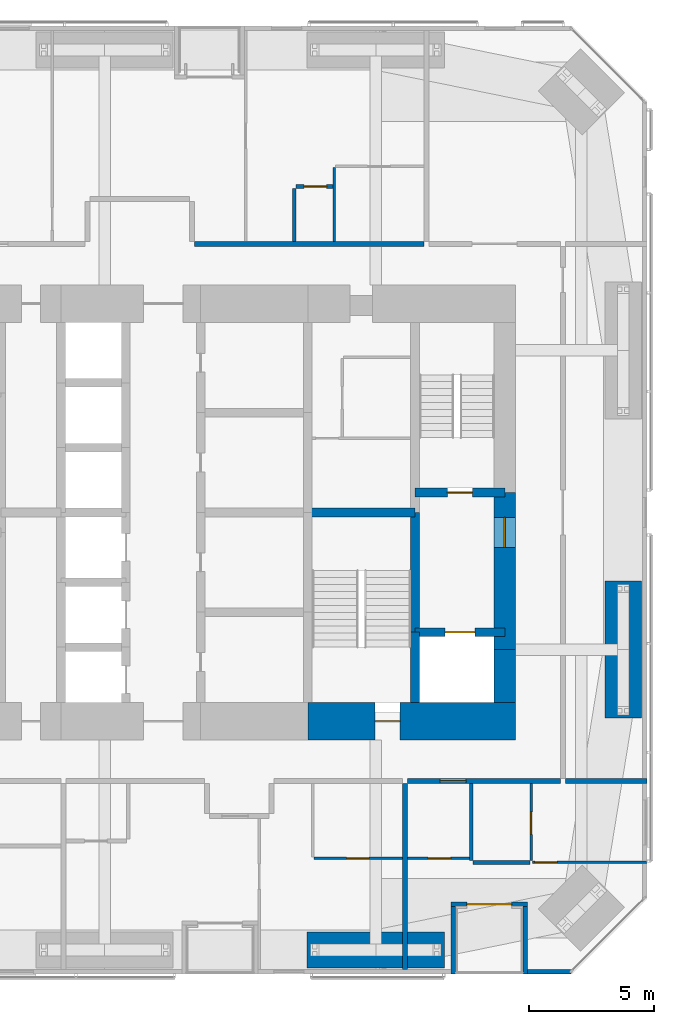
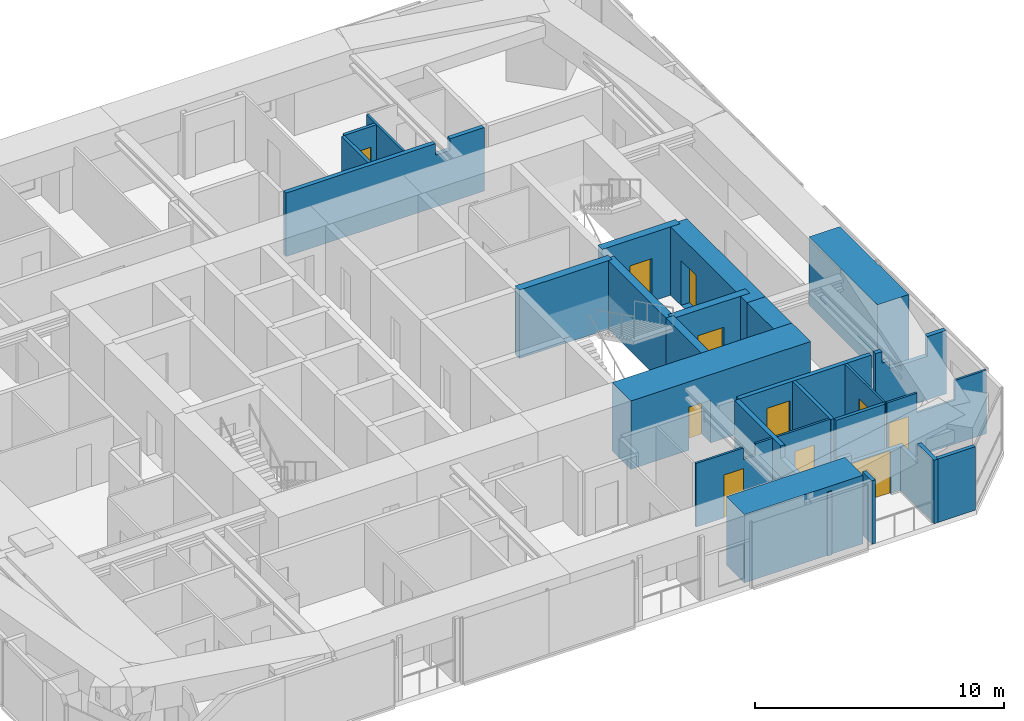
# One storey, part 20 of 23: 28 walls, 11 doors, 11 openings.
"""IFC4 building model written with IfcOpenShell, lengths in metres."""

from ifc_helpers import new_model, si_unit, direction, frame, frame_2d, origin, place, context, subcontext, project, spatial, polyline, rectangle, outline, extrude, material, layer, layer_set, constituent, constituent_set, type_object, element, fill, save


model = new_model("IFC4")

# Units and contexts
model_context = context("Model", 3, precision=1e-05, world=origin(), true_north=direction((0.0, 1.0)))
body_context = subcontext(model_context, "Body", "Model", "MODEL_VIEW")
ifc_project = project(units=[si_unit("LENGTHUNIT", "METRE"), si_unit("AREAUNIT", "SQUARE_METRE"), si_unit("VOLUMEUNIT", "CUBIC_METRE"), si_unit("PLANEANGLEUNIT", "RADIAN"), si_unit("MASSUNIT", "GRAM", prefix="KILO")], contexts=[model_context])

# Site, building, storey
site_placement = place(None, origin())
site = spatial("IfcSite", under=ifc_project, at=site_placement, CompositionType="ELEMENT")
building_placement = place(site_placement, origin())
building = spatial("IfcBuilding", under=site, at=building_placement, Name="Jalousie Tower", CompositionType="ELEMENT")
storey_placement = place(building_placement, frame((0.0, 0.0, 111.550048828125)))
storey = spatial("IfcBuildingStorey", under=building, at=storey_placement, Name="L30", CompositionType="ELEMENT", Elevation=111.550048828125)

# Walls
ifc_material_1 = material(Name="Concrete block ASTM C90", Category="concrete")
ifc_constituent_1 = constituent(ifc_material_1, Name="Body")
ifc_material_2 = material(Name="Render")
ifc_constituent_2 = constituent(ifc_material_2, Name="Finish")
ifc_constituent_set_1 = constituent_set(constituents=[ifc_constituent_1, ifc_constituent_2])
wall_type_1 = type_object("IfcWallType", Name="BATHROOM WALL 150", PredefinedType="PLUMBINGWALL", material=ifc_constituent_set_1)
wall_1_placement = place(storey_placement, frame((42.52490234375, 4.4638671875, 0.0), z_axis=(0.0, 0.0, 1.0), x_axis=(1.0, 0.0, 0.0)))
element("IfcWall", 1, at=wall_1_placement, inside=storey, type_object=wall_type_1, Name="Bathroom Wall 150 L30", PredefinedType="PLUMBINGWALL", context=body_context, shape_type="SweptSolid", body=[
    extrude(rectangle(XDim=2.275146484375, YDim=0.14990234375, at=frame_2d((1.1376953125, 0.0))), origin(), (0.0, 0.0, 1.0), 3.10986328125),
])
wall_2_placement = place(storey_placement, frame((42.449951171875, 4.538818359375, 0.0), z_axis=(0.0, 0.0, 1.0), x_axis=(0.0, 1.0, 0.0)))
element("IfcWall", 2, at=wall_2_placement, inside=storey, type_object=wall_type_1, Name="Bathroom Wall 150 L30", PredefinedType="PLUMBINGWALL", context=body_context, shape_type="SweptSolid", body=[
    extrude(rectangle(XDim=3.086181640625, YDim=0.14990234375, at=frame_2d((1.54296875, 0.0))), origin(), (0.0, 0.0, 1.0), 3.10986328125),
])

# Wall, opening, door
wall_3_placement = place(storey_placement, frame((35.425048828125, 31.574951171875, 0.0), z_axis=(0.0, 0.0, 1.0), x_axis=(1.0, 0.0, 0.0)))
wall_3 = element("IfcWall", 3, at=wall_3_placement, inside=storey, type_object=wall_type_1, Name="Bathroom Wall 150 L30", PredefinedType="PLUMBINGWALL", context=body_context, shape_type="SweptSolid", body=[
    extrude(rectangle(XDim=1.474853515625, YDim=0.14990234375, at=frame_2d((0.7373046875, 0.0))), origin(), (0.0, 0.0, 1.0), 3.10986328125),
])
opening_1_placement = place(wall_3_placement, frame((0.324951171875, 0.0, 0.0)))
opening_1 = element("IfcOpeningElement", 4, at=opening_1_placement, cuts=wall_3, Name="Opening D7", PredefinedType="OPENING", context=body_context, shape_type="SweptSolid", body=[
    extrude(rectangle(XDim=0.89990234375, YDim=2.10009765625, at=frame_2d((0.449951171875, 1.050048828125))), frame((0.0, 0.0849609375, 0.0), z_axis=(0.0, -1.0, 0.0), x_axis=(1.0, 0.0, 0.0)), (0.0, 0.0, 1.0), 0.169921875),
])
ifc_material_3 = material(Name="Timber door", Category="wood")
door_type_1 = type_object("IfcDoorType", Name="INTERNAL DOOR 900", OperationType="SINGLE_SWING_LEFT", PredefinedType="DOOR", material=ifc_material_3)
door_1_placement = place(opening_1_placement, frame((0.89990234375, 0.0, 0.0), z_axis=(0.0, 0.0, 1.0), x_axis=(-1.0, 0.0, 0.0)))
door_1 = element("IfcDoor", 5, at=door_1_placement, inside=storey, type_object=door_type_1, Name="Apartment 3004 guest WC door", OperationType="SINGLE_SWING_LEFT", OverallHeight=2.10009765625, OverallWidth=0.89990234375, PredefinedType="DOOR", context=body_context, shape_type="SweptSolid", body=[
    extrude(rectangle(XDim=0.89990234375, YDim=2.10009765625, at=frame_2d((0.449951171875, 1.050048828125))), frame((0.0, 0.02490234375, 0.0), z_axis=(0.0, -1.0, 0.0), x_axis=(1.0, 0.0, 0.0)), (0.0, 0.0, 1.0), 0.050048828125),
])
fill(opening_1, door_1)

# Wall
wall_4_placement = place(storey_placement, frame((35.35009765625, 31.5, 0.0), z_axis=(0.0, 0.0, 1.0), x_axis=(0.0, -1.0, 0.0)))
element("IfcWall", 6, at=wall_4_placement, inside=storey, type_object=wall_type_1, Name="Bathroom Wall 150 L30", PredefinedType="PLUMBINGWALL", context=body_context, shape_type="SweptSolid", body=[
    extrude(rectangle(XDim=2.125, YDim=0.14990234375, at=frame_2d((1.0625, 0.0))), origin(), (0.0, 0.0, 1.0), 3.10986328125),
])

# Wall, opening, door
ifc_material_4 = material(Name="Concrete f'c 120 MPa", Category="concrete")
ifc_layer_1 = layer(ifc_material_4, 1.5)
ifc_layer_set_1 = layer_set([ifc_layer_1], Name="Concrete f'c 120 MPa")
wall_type_2 = type_object("IfcWallType", Name="CORE WALL 1500", PredefinedType="SHEAR", material=ifc_layer_set_1)
wall_5_placement = place(storey_placement, frame((35.89990234375, 10.125, 0.0), z_axis=(0.0, 0.0, 1.0), x_axis=(1.0, 0.0, 0.0)))
wall_5 = element("IfcWall", 7, at=wall_5_placement, inside=storey, type_object=wall_type_2, Name="Core wall SD L30", PredefinedType="SHEAR", context=body_context, shape_type="SweptSolid", body=[
    extrude(rectangle(XDim=8.3251953125, YDim=1.5, at=frame_2d((4.16259765625, 0.0))), origin(), (0.0, 0.0, 1.0), 3.349853515625),
])
opening_2_placement = place(wall_5_placement, frame((2.699951171875, 0.0, 0.0)))
opening_2 = element("IfcOpeningElement", 8, at=opening_2_placement, cuts=wall_5, Name="Opening D10", PredefinedType="OPENING", context=body_context, shape_type="SweptSolid", body=[
    extrude(rectangle(XDim=1.0, YDim=2.10009765625, at=frame_2d((0.5, 1.050048828125))), frame((0.0, 0.760009765625, 0.0), z_axis=(0.0, -1.0, 0.0), x_axis=(1.0, 0.0, 0.0)), (0.0, 0.0, 1.0), 1.52001953125),
])
ifc_material_5 = material(Name="Steel fire door", Category="steel")
door_type_2 = type_object("IfcDoorType", Name="STAIR DOOR 1000", OperationType="SINGLE_SWING_LEFT", PredefinedType="DOOR", material=ifc_material_5)
door_2_placement = place(opening_2_placement, origin())
door_2 = element("IfcDoor", 9, at=door_2_placement, inside=storey, type_object=door_type_2, Name="Exit stair C door", OperationType="SINGLE_SWING_RIGHT", OverallHeight=2.10009765625, OverallWidth=1.0, PredefinedType="DOOR", context=body_context, shape_type="SweptSolid", body=[
    extrude(rectangle(XDim=1.0, YDim=2.10009765625, at=frame_2d((0.5, 1.050048828125))), frame((0.0, 0.02490234375, 0.0), z_axis=(0.0, -1.0, 0.0), x_axis=(1.0, 0.0, 0.0)), (0.0, 0.0, 1.0), 0.050048828125),
])
fill(opening_2, door_2)

# Walls
ifc_material_6 = material(Name="Concrete f'c 120 MPa", Category="concrete")
ifc_layer_2 = layer(ifc_material_6, 0.35009765625)
ifc_layer_set_2 = layer_set([ifc_layer_2], Name="Concrete f'c 120 MPa")
wall_type_3 = type_object("IfcWallType", Name="CORE WALL 350", PredefinedType="SHEAR", material=ifc_layer_set_2)
wall_6_placement = place(storey_placement, frame((40.199951171875, 10.875, 0.0), z_axis=(0.0, 0.0, 1.0), x_axis=(0.0, 1.0, 0.0)))
element("IfcWall", 10, at=wall_6_placement, inside=storey, type_object=wall_type_3, Name="Core wall X40.2A L30", PredefinedType="SHEAR", context=body_context, shape_type="SweptSolid", body=[
    extrude(rectangle(XDim=2.824951171875, YDim=0.35009765625, at=frame_2d((1.41259765625, 0.0))), origin(), (0.0, 0.0, 1.0), 3.349853515625),
])
wall_7_placement = place(storey_placement, frame((40.199951171875, 13.699951171875, 0.0), z_axis=(0.0, 0.0, 1.0), x_axis=(0.0, 1.0, 0.0)))
element("IfcWall", 11, at=wall_7_placement, inside=storey, type_object=wall_type_3, Name="Core wall X40.2B L30", PredefinedType="SHEAR", context=body_context, shape_type="SweptSolid", body=[
    extrude(rectangle(XDim=4.800048828125, YDim=0.35009765625, at=frame_2d((2.39990234375, 0.0))), origin(), (0.0, 0.0, 1.0), 3.349853515625),
])
wall_8_placement = place(storey_placement, frame((35.89990234375, 18.5, 0.0), z_axis=(0.0, 0.0, 1.0), x_axis=(1.0, 0.0, 0.0)))
element("IfcWall", 12, at=wall_8_placement, inside=storey, type_object=wall_type_3, Name="Core wall Y35.9-18.5 L30", PredefinedType="SHEAR", context=body_context, shape_type="SweptSolid", body=[
    extrude(rectangle(XDim=4.300048828125, YDim=0.35009765625, at=frame_2d((2.14990234375, 0.0))), origin(), (0.0, 0.0, 1.0), 3.349853515625),
])

# Wall, opening, door
wall_9_placement = place(storey_placement, frame((40.199951171875, 13.699951171875, 0.0), z_axis=(0.0, 0.0, 1.0), x_axis=(1.0, 0.0, 0.0)))
wall_9 = element("IfcWall", 13, at=wall_9_placement, inside=storey, type_object=wall_type_3, Name="Core wall Y40.2-13.7 L30", PredefinedType="SHEAR", context=body_context, shape_type="SweptSolid", body=[
    extrude(rectangle(XDim=3.60009765625, YDim=0.35009765625, at=frame_2d((1.800048828125, 0.0))), origin(), (0.0, 0.0, 1.0), 3.349853515625),
])
opening_3_placement = place(wall_9_placement, frame((1.199951171875, 0.0, 0.0)))
opening_3 = element("IfcOpeningElement", 14, at=opening_3_placement, cuts=wall_9, Name="Opening LD2", PredefinedType="OPENING", context=body_context, shape_type="SweptSolid", body=[
    extrude(rectangle(XDim=1.199951171875, YDim=2.10009765625, at=frame_2d((0.60009765625, 1.050048828125))), frame((0.0, 0.18505859375, 0.0), z_axis=(0.0, -1.0, 0.0), x_axis=(1.0, 0.0, 0.0)), (0.0, 0.0, 1.0), 0.3701171875),
])
ifc_material_7 = material(Name="Steel lift landing door", Category="steel")
door_type_3 = type_object("IfcDoorType", Name="LIFT LANDING DOOR 1200", OperationType="SLIDING_TO_LEFT", PredefinedType="DOOR", material=ifc_material_7)
door_3_placement = place(opening_3_placement, origin())
door_3 = element("IfcDoor", 15, at=door_3_placement, inside=storey, type_object=door_type_3, Name="Lift F2 landing door", OperationType="SLIDING_TO_LEFT", OverallHeight=2.10009765625, OverallWidth=1.199951171875, PredefinedType="DOOR", context=body_context, shape_type="SweptSolid", body=[
    extrude(rectangle(XDim=1.199951171875, YDim=2.10009765625, at=frame_2d((0.60009765625, 1.050048828125))), frame((0.0, 0.02490234375, 0.0), z_axis=(0.0, -1.0, 0.0), x_axis=(1.0, 0.0, 0.0)), (0.0, 0.0, 1.0), 0.050048828125),
])
fill(opening_3, door_3)

wall_10_placement = place(storey_placement, frame((40.199951171875, 19.300048828125, 0.0), z_axis=(0.0, 0.0, 1.0), x_axis=(1.0, 0.0, 0.0)))
wall_10 = element("IfcWall", 16, at=wall_10_placement, inside=storey, type_object=wall_type_3, Name="Core wall Y40.2-19.3 L30", PredefinedType="SHEAR", context=body_context, shape_type="SweptSolid", body=[
    extrude(rectangle(XDim=3.60009765625, YDim=0.35009765625, at=frame_2d((1.800048828125, 0.0))), origin(), (0.0, 0.0, 1.0), 3.349853515625),
])
opening_4_placement = place(wall_10_placement, frame((1.300048828125, 0.0, 0.0)))
opening_4 = element("IfcOpeningElement", 17, at=opening_4_placement, cuts=wall_10, Name="Opening D10", PredefinedType="OPENING", context=body_context, shape_type="SweptSolid", body=[
    extrude(rectangle(XDim=1.0, YDim=2.10009765625, at=frame_2d((0.5, 1.050048828125))), frame((0.0, 0.18505859375, 0.0), z_axis=(0.0, -1.0, 0.0), x_axis=(1.0, 0.0, 0.0)), (0.0, 0.0, 1.0), 0.3701171875),
])
door_4_placement = place(opening_4_placement, origin())
door_4 = element("IfcDoor", 18, at=door_4_placement, inside=storey, type_object=door_type_2, Name="Exit stair B door", OperationType="SINGLE_SWING_RIGHT", OverallHeight=2.10009765625, OverallWidth=1.0, PredefinedType="DOOR", context=body_context, shape_type="SweptSolid", body=[
    extrude(rectangle(XDim=1.0, YDim=2.10009765625, at=frame_2d((0.5, 1.050048828125))), frame((0.0, 0.02490234375, 0.0), z_axis=(0.0, -1.0, 0.0), x_axis=(1.0, 0.0, 0.0)), (0.0, 0.0, 1.0), 0.050048828125),
])
fill(opening_4, door_4)

# Wall
ifc_material_8 = material(Name="Concrete f'c 120 MPa", Category="concrete")
ifc_layer_3 = layer(ifc_material_8, 0.85009765625)
ifc_layer_set_3 = layer_set([ifc_layer_3], Name="Concrete f'c 120 MPa")
wall_type_4 = type_object("IfcWallType", Name="CORE WALL 850", PredefinedType="SHEAR", material=ifc_layer_set_3)
wall_11_placement = place(storey_placement, frame((43.800048828125, 10.875, 0.0), z_axis=(0.0, 0.0, 1.0), x_axis=(0.0, 1.0, 0.0)))
element("IfcWall", 19, at=wall_11_placement, inside=storey, type_object=wall_type_4, Name="Core wall EA L30", PredefinedType="SHEAR", context=body_context, shape_type="SweptSolid", body=[
    extrude(rectangle(XDim=2.125, YDim=0.85009765625, at=frame_2d((1.0625, 0.0))), origin(), (0.0, 0.0, 1.0), 3.349853515625),
])

# Wall, opening, door
wall_12_placement = place(storey_placement, frame((43.800048828125, 13.0, 0.0), z_axis=(0.0, 0.0, 1.0), x_axis=(0.0, 1.0, 0.0)))
wall_12 = element("IfcWall", 20, at=wall_12_placement, inside=storey, type_object=wall_type_4, Name="Core wall EB L30", PredefinedType="SHEAR", context=body_context, shape_type="SweptSolid", body=[
    extrude(rectangle(XDim=6.300048828125, YDim=0.85009765625, at=frame_2d((3.14990234375, 0.0))), origin(), (0.0, 0.0, 1.0), 3.349853515625),
])
opening_5_placement = place(wall_12_placement, frame((4.10009765625, 0.0, 0.0)))
opening_5 = element("IfcOpeningElement", 21, at=opening_5_placement, cuts=wall_12, Name="Opening D11", PredefinedType="OPENING", context=body_context, shape_type="SweptSolid", body=[
    extrude(rectangle(XDim=1.199951171875, YDim=2.199951171875, at=frame_2d((0.60009765625, 1.10009765625))), frame((0.0, 0.43505859375, 0.0), z_axis=(0.0, -1.0, 0.0), x_axis=(1.0, 0.0, 0.0)), (0.0, 0.0, 1.0), 0.8701171875),
])
ifc_material_9 = material(Name="Steel fire door", Category="steel")
door_type_4 = type_object("IfcDoorType", Name="FIRE DOOR 1200", OperationType="SINGLE_SWING_LEFT", PredefinedType="DOOR", material=ifc_material_9)
door_5_placement = place(opening_5_placement, origin())
door_5 = element("IfcDoor", 22, at=door_5_placement, inside=storey, type_object=door_type_4, Name="Fire-fighting lobby B door", OperationType="SINGLE_SWING_RIGHT", OverallHeight=2.199951171875, OverallWidth=1.199951171875, PredefinedType="DOOR", context=body_context, shape_type="SweptSolid", body=[
    extrude(rectangle(XDim=1.199951171875, YDim=2.199951171875, at=frame_2d((0.60009765625, 1.10009765625))), frame((0.0, 0.02490234375, 0.0), z_axis=(0.0, -1.0, 0.0), x_axis=(1.0, 0.0, 0.0)), (0.0, 0.0, 1.0), 0.050048828125),
])
fill(opening_5, door_5)

ifc_material_10 = material(Name="Concrete block ASTM C90", Category="concrete")
ifc_constituent_3 = constituent(ifc_material_10, Name="Body")
ifc_material_11 = material(Name="Render")
ifc_constituent_4 = constituent(ifc_material_11, Name="Finish")
ifc_constituent_set_2 = constituent_set(constituents=[ifc_constituent_3, ifc_constituent_4])
wall_type_5 = type_object("IfcWallType", Name="CORRIDOR WALL 200", PredefinedType="PARTITIONING", material=ifc_constituent_set_2)
wall_13_placement = place(storey_placement, frame((39.89990234375, 7.72509765625, 0.0), z_axis=(0.0, 0.0, 1.0), x_axis=(1.0, 0.0, 0.0)))
wall_13 = element("IfcWall", 23, at=wall_13_placement, inside=storey, type_object=wall_type_5, Name="Corridor Wall 200 L30", PredefinedType="PARTITIONING", context=body_context, shape_type="SweptSolid", body=[
    extrude(rectangle(XDim=6.125, YDim=0.199951171875, at=frame_2d((3.0625, 0.0))), origin(), (0.0, 0.0, 1.0), 3.10986328125),
])
opening_6_placement = place(wall_13_placement, frame((1.300048828125, 0.0, 0.0)))
opening_6 = element("IfcOpeningElement", 24, at=opening_6_placement, cuts=wall_13, Name="Opening D1", PredefinedType="OPENING", context=body_context, shape_type="SweptSolid", body=[
    extrude(rectangle(XDim=1.050048828125, YDim=2.199951171875, at=frame_2d((0.52490234375, 1.10009765625))), frame((0.0, 0.10986328125, 0.0), z_axis=(0.0, -1.0, 0.0), x_axis=(1.0, 0.0, 0.0)), (0.0, 0.0, 1.0), 0.219970703125),
])
ifc_material_12 = material(Name="Timber fire door", Category="wood")
door_type_5 = type_object("IfcDoorType", Name="APARTMENT ENTRANCE DOOR 1050", OperationType="SINGLE_SWING_LEFT", PredefinedType="DOOR", material=ifc_material_12)
door_6_placement = place(opening_6_placement, frame((1.050048828125, 0.0, 0.0), z_axis=(0.0, 0.0, 1.0), x_axis=(-1.0, 0.0, 0.0)))
door_6 = element("IfcDoor", 25, at=door_6_placement, inside=storey, type_object=door_type_5, Name="Apartment 3003 entrance", OperationType="SINGLE_SWING_LEFT", OverallHeight=2.199951171875, OverallWidth=1.050048828125, PredefinedType="DOOR", context=body_context, shape_type="SweptSolid", body=[
    extrude(rectangle(XDim=1.050048828125, YDim=2.199951171875, at=frame_2d((0.52490234375, 1.10009765625))), frame((0.0, 0.02490234375, 0.0), z_axis=(0.0, -1.0, 0.0), x_axis=(1.0, 0.0, 0.0)), (0.0, 0.0, 1.0), 0.050048828125),
])
fill(opening_6, door_6)

# Walls
wall_14_placement = place(storey_placement, frame((31.362548828125, 29.27490234375, 0.0), z_axis=(0.0, 0.0, 1.0), x_axis=(1.0, 0.0, 0.0)))
element("IfcWall", 26, at=wall_14_placement, inside=storey, type_object=wall_type_5, Name="Corridor Wall 200 L30", PredefinedType="PARTITIONING", context=body_context, shape_type="SweptSolid", body=[
    extrude(outline(polyline([(0.0, 0.0), (9.1875, 0.0), (9.1875, 3.10986328125), (7.599853515625, 3.10986328125), (7.599853515625, 2.541015625), (6.925048828125, 2.541015625), (6.925048828125, 3.10986328125), (0.0, 3.10986328125), (0.0, 0.0)])), frame((0.0, 0.10009765625, 0.0), z_axis=(0.0, -1.0, 0.0), x_axis=(1.0, 0.0, 0.0)), (0.0, 0.0, 1.0), 0.199951171875),
])
ifc_material_13 = material(Name="Concrete f'c 40 MPa", Category="concrete")
ifc_constituent_5 = constituent(ifc_material_13, Name="Body")
ifc_material_14 = material(Name="Render, pastel sea green")
ifc_constituent_6 = constituent(ifc_material_14, Name="Finish")
ifc_constituent_set_3 = constituent_set(constituents=[ifc_constituent_5, ifc_constituent_6])
wall_type_6 = type_object("IfcWallType", Name="EXTERNAL WALL 175 SEA GREEN RENDER", PredefinedType="SOLIDWALL", material=ifc_constituent_set_3)
wall_15_placement = place(storey_placement, frame((44.699951171875, 0.08740234375, 0.0), z_axis=(0.0, 0.0, 1.0), x_axis=(1.0, 0.0, 0.0)))
element("IfcWall", 27, at=wall_15_placement, inside=storey, type_object=wall_type_6, Name="External Wall 175 Sea Green Render L30", PredefinedType="SOLIDWALL", context=body_context, shape_type="SweptSolid", body=[
    extrude(rectangle(XDim=1.748779296875, YDim=0.175048828125, at=frame_2d((0.87451171875, 0.0))), origin(), (0.0, 0.0, 1.0), 3.10986328125),
])
wall_16_placement = place(storey_placement, frame((41.64990234375, 2.78759765625, 0.0), z_axis=(0.0, 0.0, 1.0), x_axis=(1.0, 0.0, 0.0)))
element("IfcWall", 28, at=wall_16_placement, inside=storey, type_object=wall_type_6, Name="External Wall 175 Sea Green Render L30-A", PredefinedType="SOLIDWALL", context=body_context, shape_type="SweptSolid", body=[
    extrude(rectangle(XDim=0.625, YDim=0.175048828125, at=frame_2d((0.3125, 0.0))), origin(), (0.0, 0.0, 1.0), 2.510009765625),
])

# Wall, opening, door
wall_17_placement = place(storey_placement, frame((42.27490234375, 2.78759765625, 0.0), z_axis=(0.0, 0.0, 1.0), x_axis=(1.0, 0.0, 0.0)))
wall_17 = element("IfcWall", 29, at=wall_17_placement, inside=storey, type_object=wall_type_6, Name="External Wall 175 Sea Green Render L30-B", PredefinedType="SOLIDWALL", context=body_context, shape_type="SweptSolid", body=[
    extrude(rectangle(XDim=2.425048828125, YDim=0.175048828125, at=frame_2d((1.21240234375, 0.0))), origin(), (0.0, 0.0, 1.0), 2.14990234375),
])
opening_7_placement = place(wall_17_placement, origin())
opening_7 = element("IfcOpeningElement", 30, at=opening_7_placement, cuts=wall_17, Name="Opening D-BAL21", PredefinedType="OPENING", context=body_context, shape_type="SweptSolid", body=[
    extrude(rectangle(XDim=1.800048828125, YDim=2.10009765625, at=frame_2d((0.89990234375, 1.050048828125))), frame((0.0, 0.097412109375, 0.0), z_axis=(0.0, -1.0, 0.0), x_axis=(1.0, 0.0, 0.0)), (0.0, 0.0, 1.0), 0.195068359375),
])
ifc_material_15 = material(Name="Aluminium frame, impact-rated glazing", Category="aluminium")
door_type_6 = type_object("IfcDoorType", Name="BALCONY DOOR 1800x2100", OperationType="SLIDING_TO_LEFT", PredefinedType="DOOR", material=ifc_material_15)
door_7_placement = place(opening_7_placement, origin())
door_7 = element("IfcDoor", 31, at=door_7_placement, inside=storey, type_object=door_type_6, Name="Apartment 3003 living and dining room loggia door", OperationType="SLIDING_TO_LEFT", OverallHeight=2.10009765625, OverallWidth=1.800048828125, PredefinedType="DOOR", context=body_context, shape_type="SweptSolid", body=[
    extrude(rectangle(XDim=1.800048828125, YDim=2.10009765625, at=frame_2d((0.89990234375, 1.050048828125))), frame((0.0, 0.02490234375, 0.0), z_axis=(0.0, -1.0, 0.0), x_axis=(1.0, 0.0, 0.0)), (0.0, 0.0, 1.0), 0.050048828125),
])
fill(opening_7, door_7)

# Walls
wall_18_placement = place(storey_placement, frame((41.737548828125, 0.0, 0.0), z_axis=(0.0, 0.0, 1.0), x_axis=(0.0, 1.0, 0.0)))
element("IfcWall", 32, at=wall_18_placement, inside=storey, type_object=wall_type_6, Name="External Wall 175 Sea Green Render L30", PredefinedType="SOLIDWALL", context=body_context, shape_type="SweptSolid", body=[
    extrude(outline(polyline([(0.0, 0.0), (2.699951171875, 0.0), (2.699951171875, 2.510009765625), (2.419189453125, 2.510009765625), (2.419189453125, 2.14990234375), (0.75048828125, 2.14990234375), (0.75048828125, 3.10986328125), (0.0, 3.10986328125), (0.0, 0.0)])), frame((0.0, 0.08740234375, 0.0), z_axis=(0.0, -1.0, 0.0), x_axis=(1.0, 0.0, 0.0)), (0.0, 0.0, 1.0), 0.175048828125),
])
wall_19_placement = place(storey_placement, frame((44.612548828125, 0.0, 0.0), z_axis=(0.0, 0.0, 1.0), x_axis=(0.0, 1.0, 0.0)))
element("IfcWall", 33, at=wall_19_placement, inside=storey, type_object=wall_type_6, Name="External Wall 175 Sea Green Render L30", PredefinedType="SOLIDWALL", context=body_context, shape_type="SweptSolid", body=[
    extrude(outline(polyline([(0.0, 0.0), (2.699951171875, 0.0), (2.699951171875, 2.14990234375), (1.3369140625, 2.14990234375), (1.3369140625, 3.10986328125), (0.0, 3.10986328125), (0.0, 0.0)])), frame((0.0, 0.08740234375, 0.0), z_axis=(0.0, -1.0, 0.0), x_axis=(1.0, 0.0, 0.0)), (0.0, 0.0, 1.0), 0.175048828125),
])

# Wall, opening, door
ifc_material_16 = material(Name="Gypsum board", Category="gypsum")
ifc_constituent_7 = constituent(ifc_material_16, Name="Body")
ifc_material_17 = material(Name="Light-gauge steel studs ASTM A653 SS Grade 33", Category="steel")
ifc_constituent_8 = constituent(ifc_material_17, Name="Framing")
ifc_constituent_set_4 = constituent_set(constituents=[ifc_constituent_7, ifc_constituent_8])
wall_type_7 = type_object("IfcWallType", Name="PARTITION 100", PredefinedType="PARTITIONING", material=ifc_constituent_set_4)
wall_20_placement = place(storey_placement, frame((36.14990234375, 4.625, 0.0), z_axis=(0.0, 0.0, 1.0), x_axis=(1.0, 0.0, 0.0)))
wall_20 = element("IfcWall", 34, at=wall_20_placement, inside=storey, type_object=wall_type_7, Name="Partition 100 L30", PredefinedType="PARTITIONING", context=body_context, shape_type="SweptSolid", body=[
    extrude(outline(polyline([(0.0, 0.0), (3.550048828125, 0.0), (3.550048828125, 3.10986328125), (2.762451171875, 3.10986328125), (2.762451171875, 2.541015625), (2.1875, 2.541015625), (2.1875, 3.10986328125), (0.0, 3.10986328125), (0.0, 0.0)])), frame((0.0, 0.050048828125, 0.0), z_axis=(0.0, -1.0, 0.0), x_axis=(1.0, 0.0, 0.0)), (0.0, 0.0, 1.0), 0.10009765625),
])
opening_8_placement = place(wall_20_placement, frame((1.300048828125, 0.0, 0.0)))
opening_8 = element("IfcOpeningElement", 35, at=opening_8_placement, cuts=wall_20, Name="Opening D7", PredefinedType="OPENING", context=body_context, shape_type="SweptSolid", body=[
    extrude(rectangle(XDim=0.89990234375, YDim=2.10009765625, at=frame_2d((0.449951171875, 1.050048828125))), frame((0.0, 0.06005859375, 0.0), z_axis=(0.0, -1.0, 0.0), x_axis=(1.0, 0.0, 0.0)), (0.0, 0.0, 1.0), 0.1201171875),
])
door_8_placement = place(opening_8_placement, frame((0.89990234375, 0.0, 0.0), z_axis=(0.0, 0.0, 1.0), x_axis=(-1.0, 0.0, 0.0)))
door_8 = element("IfcDoor", 36, at=door_8_placement, inside=storey, type_object=door_type_1, Name="Apartment 3002 kitchen door", OperationType="SINGLE_SWING_LEFT", OverallHeight=2.10009765625, OverallWidth=0.89990234375, PredefinedType="DOOR", context=body_context, shape_type="SweptSolid", body=[
    extrude(rectangle(XDim=0.89990234375, YDim=2.10009765625, at=frame_2d((0.449951171875, 1.050048828125))), frame((0.0, 0.02490234375, 0.0), z_axis=(0.0, -1.0, 0.0), x_axis=(1.0, 0.0, 0.0)), (0.0, 0.0, 1.0), 0.050048828125),
])
fill(opening_8, door_8)

wall_21_placement = place(storey_placement, frame((44.85009765625, 4.538818359375, 0.0), z_axis=(0.0, 0.0, 1.0), x_axis=(0.0, 1.0, 0.0)))
wall_21 = element("IfcWall", 37, at=wall_21_placement, inside=storey, type_object=wall_type_7, Name="Partition 100 L30", PredefinedType="PARTITIONING", context=body_context, shape_type="SweptSolid", body=[
    extrude(rectangle(XDim=3.086181640625, YDim=0.10009765625, at=frame_2d((1.54296875, 0.0))), origin(), (0.0, 0.0, 1.0), 3.10986328125),
])
opening_9_placement = place(wall_21_placement, frame((1.0556640625, 0.0, 0.0)))
opening_9 = element("IfcOpeningElement", 38, at=opening_9_placement, cuts=wall_21, Name="Opening D3", PredefinedType="OPENING", context=body_context, shape_type="SweptSolid", body=[
    extrude(rectangle(XDim=0.89990234375, YDim=2.10009765625, at=frame_2d((0.449951171875, 1.050048828125))), frame((0.0, 0.06005859375, 0.0), z_axis=(0.0, -1.0, 0.0), x_axis=(1.0, 0.0, 0.0)), (0.0, 0.0, 1.0), 0.1201171875),
])
ifc_material_18 = material(Name="Timber door", Category="wood")
door_type_7 = type_object("IfcDoorType", Name="BATHROOM DOOR 900", OperationType="SINGLE_SWING_LEFT", PredefinedType="DOOR", material=ifc_material_18)
door_9_placement = place(opening_9_placement, origin())
door_9 = element("IfcDoor", 39, at=door_9_placement, inside=storey, type_object=door_type_7, Name="Apartment 3003 bedroom 1 bathroom door", OperationType="SINGLE_SWING_LEFT", OverallHeight=2.10009765625, OverallWidth=0.89990234375, PredefinedType="DOOR", context=body_context, shape_type="SweptSolid", body=[
    extrude(rectangle(XDim=0.89990234375, YDim=2.10009765625, at=frame_2d((0.449951171875, 1.050048828125))), frame((0.0, 0.02490234375, 0.0), z_axis=(0.0, -1.0, 0.0), x_axis=(1.0, 0.0, 0.0)), (0.0, 0.0, 1.0), 0.050048828125),
])
fill(opening_9, door_9)

wall_22_placement = place(storey_placement, frame((44.89990234375, 4.4638671875, 0.0), z_axis=(0.0, 0.0, 1.0), x_axis=(1.0, 0.0, 0.0)))
wall_22 = element("IfcWall", 40, at=wall_22_placement, inside=storey, type_object=wall_type_7, Name="Partition 100 L30", PredefinedType="PARTITIONING", context=body_context, shape_type="SweptSolid", body=[
    extrude(outline(polyline([(0.0, 0.0), (4.60009765625, 0.0), (4.60009765625, 3.10986328125), (3.136962890625, 3.10986328125), (3.136962890625, 2.14990234375), (1.39453125, 2.14990234375), (1.39453125, 3.10986328125), (0.0, 3.10986328125), (0.0, 0.0)])), frame((0.0, 0.050048828125, 0.0), z_axis=(0.0, -1.0, 0.0), x_axis=(1.0, 0.0, 0.0)), (0.0, 0.0, 1.0), 0.10009765625),
])
opening_10_placement = place(wall_22_placement, frame((0.10009765625, 0.0, 0.0)))
opening_10 = element("IfcOpeningElement", 41, at=opening_10_placement, cuts=wall_22, Name="Opening D2", PredefinedType="OPENING", context=body_context, shape_type="SweptSolid", body=[
    extrude(rectangle(XDim=0.89990234375, YDim=2.10009765625, at=frame_2d((0.449951171875, 1.050048828125))), frame((0.0, 0.06005859375, 0.0), z_axis=(0.0, -1.0, 0.0), x_axis=(1.0, 0.0, 0.0)), (0.0, 0.0, 1.0), 0.1201171875),
])
ifc_material_19 = material(Name="Timber door", Category="wood")
door_type_8 = type_object("IfcDoorType", Name="BEDROOM DOOR 900", OperationType="SINGLE_SWING_LEFT", PredefinedType="DOOR", material=ifc_material_19)
door_10_placement = place(opening_10_placement, origin())
door_10 = element("IfcDoor", 42, at=door_10_placement, inside=storey, type_object=door_type_8, Name="Apartment 3003 bedroom 1 door", OperationType="SINGLE_SWING_LEFT", OverallHeight=2.10009765625, OverallWidth=0.89990234375, PredefinedType="DOOR", context=body_context, shape_type="SweptSolid", body=[
    extrude(rectangle(XDim=0.89990234375, YDim=2.10009765625, at=frame_2d((0.449951171875, 1.050048828125))), frame((0.0, 0.02490234375, 0.0), z_axis=(0.0, -1.0, 0.0), x_axis=(1.0, 0.0, 0.0)), (0.0, 0.0, 1.0), 0.050048828125),
])
fill(opening_10, door_10)

wall_23_placement = place(storey_placement, frame((39.89990234375, 4.625, 0.0), z_axis=(0.0, 0.0, 1.0), x_axis=(1.0, 0.0, 0.0)))
wall_23 = element("IfcWall", 43, at=wall_23_placement, inside=storey, type_object=wall_type_7, Name="Partition 100 L30", PredefinedType="PARTITIONING", context=body_context, shape_type="SweptSolid", body=[
    extrude(rectangle(XDim=2.47509765625, YDim=0.10009765625, at=frame_2d((1.237548828125, 0.0))), origin(), (0.0, 0.0, 1.0), 3.10986328125),
])
opening_11_placement = place(wall_23_placement, frame((0.824951171875, 0.0, 0.0)))
opening_11 = element("IfcOpeningElement", 44, at=opening_11_placement, cuts=wall_23, Name="Opening D7", PredefinedType="OPENING", context=body_context, shape_type="SweptSolid", body=[
    extrude(rectangle(XDim=0.89990234375, YDim=2.10009765625, at=frame_2d((0.449951171875, 1.050048828125))), frame((0.0, 0.06005859375, 0.0), z_axis=(0.0, -1.0, 0.0), x_axis=(1.0, 0.0, 0.0)), (0.0, 0.0, 1.0), 0.1201171875),
])
door_11_placement = place(opening_11_placement, frame((0.89990234375, 0.0, 0.0), z_axis=(0.0, 0.0, 1.0), x_axis=(-1.0, 0.0, 0.0)))
door_11 = element("IfcDoor", 45, at=door_11_placement, inside=storey, type_object=door_type_1, Name="Apartment 3003 kitchen door", OperationType="SINGLE_SWING_RIGHT", OverallHeight=2.10009765625, OverallWidth=0.89990234375, PredefinedType="DOOR", context=body_context, shape_type="SweptSolid", body=[
    extrude(rectangle(XDim=0.89990234375, YDim=2.10009765625, at=frame_2d((0.449951171875, 1.050048828125))), frame((0.0, 0.02490234375, 0.0), z_axis=(0.0, -1.0, 0.0), x_axis=(1.0, 0.0, 0.0)), (0.0, 0.0, 1.0), 0.050048828125),
])
fill(opening_11, door_11)

# Walls
wall_24_placement = place(storey_placement, frame((36.949951171875, 32.324951171875, 0.0), z_axis=(0.0, 0.0, 1.0), x_axis=(0.0, -1.0, 0.0)))
element("IfcWall", 46, at=wall_24_placement, inside=storey, type_object=wall_type_7, Name="Partition 100 L30", PredefinedType="PARTITIONING", context=body_context, shape_type="SweptSolid", body=[
    extrude(rectangle(XDim=2.949951171875, YDim=0.10009765625, at=frame_2d((1.47509765625, 0.0))), origin(), (0.0, 0.0, 1.0), 3.10986328125),
])
ifc_material_20 = material(Name="Concrete block ASTM C90", Category="concrete")
ifc_constituent_9 = constituent(ifc_material_20, Name="Body")
ifc_material_21 = material(Name="Render")
ifc_constituent_10 = constituent(ifc_material_21, Name="Finish")
ifc_constituent_set_5 = constituent_set(constituents=[ifc_constituent_9, ifc_constituent_10])
wall_type_8 = type_object("IfcWallType", Name="PARTY WALL 200", PredefinedType="PARTITIONING", material=ifc_constituent_set_5)
wall_25_placement = place(storey_placement, frame((39.800048828125, 0.175048828125, 0.0), z_axis=(0.0, 0.0, 1.0), x_axis=(0.0, 1.0, 0.0)))
element("IfcWall", 47, at=wall_25_placement, inside=storey, type_object=wall_type_8, Name="Party Wall 200 L30", PredefinedType="PARTITIONING", context=body_context, shape_type="SweptSolid", body=[
    extrude(outline(polyline([(0.0859375, 3.10986328125), (0.0, 3.10986328125), (0.0, 0.0), (0.52880859375, 0.0), (0.52880859375, 0.70068359375), (1.021240234375, 0.70068359375), (1.021240234375, 0.0), (7.449951171875, 0.0), (7.449951171875, 3.10986328125), (3.766357421875, 3.10986328125), (3.766357421875, 2.510009765625), (1.943359375, 2.510009765625), (1.943359375, 2.14990234375), (1.021240234375, 2.14990234375), (1.021240234375, 1.44921875), (0.52880859375, 1.44921875), (0.52880859375, 2.14990234375), (0.0859375, 2.14990234375), (0.0859375, 3.10986328125)])), frame((0.0, 0.10009765625, 0.0), z_axis=(0.0, -1.0, 0.0), x_axis=(1.0, 0.0, 0.0)), (0.0, 0.0, 1.0), 0.199951171875),
])
wall_26_placement = place(storey_placement, frame((46.22509765625, 7.72509765625, 0.0), z_axis=(0.0, 0.0, 1.0), x_axis=(1.0, 0.0, 0.0)))
element("IfcWall", 48, at=wall_26_placement, inside=storey, type_object=wall_type_8, Name="Party Wall 200 L30", PredefinedType="PARTITIONING", context=body_context, shape_type="SweptSolid", body=[
    extrude(outline(polyline([(0.0, 0.0), (3.27490234375, 0.0), (3.27490234375, 3.10986328125), (2.3916015625, 3.10986328125), (2.3916015625, 2.14990234375), (0.642822265625, 2.14990234375), (0.642822265625, 2.541015625), (0.30615234375, 2.541015625), (0.30615234375, 3.10986328125), (0.0, 3.10986328125), (0.0, 0.0)])), frame((0.0, 0.10009765625, 0.0), z_axis=(0.0, -1.0, 0.0), x_axis=(1.0, 0.0, 0.0)), (0.0, 0.0, 1.0), 0.199951171875),
])
ifc_material_22 = material(Name="Concrete f'c 120 MPa", Category="concrete")
ifc_layer_4 = layer(ifc_material_22, 1.449951171875)
ifc_layer_set_4 = layer_set([ifc_layer_4], Name="Concrete f'c 120 MPa")
wall_type_9 = type_object("IfcWallType", Name="RC WALL PIER 1450", PredefinedType="SHEAR", material=ifc_layer_set_4)
for number, where, z_axis, x_axis, name in (
    (49, (35.875, 0.949951171875, 0.0), (0.0, 0.0, 1.0), (1.0, 0.0, 0.0), "Wall pier 04 L30"),
    (50, (48.550048828125, 10.25, 0.0), (0.0, 0.0, 1.0), (0.0, 1.0, 0.0), "Wall pier 06 L30"),
):
    element("IfcWall", number, at=place(storey_placement, frame(where, z_axis=z_axis, x_axis=x_axis)), inside=storey, type_object=wall_type_9, Name=name, PredefinedType="SHEAR", context=body_context, shape_type="SweptSolid", body=[
        extrude(rectangle(XDim=5.5, YDim=1.449951171875, at=frame_2d((2.75, 0.0))), origin(), (0.0, 0.0, 1.0), 3.349853515625),
    ])

save(model, "model.ifc")
